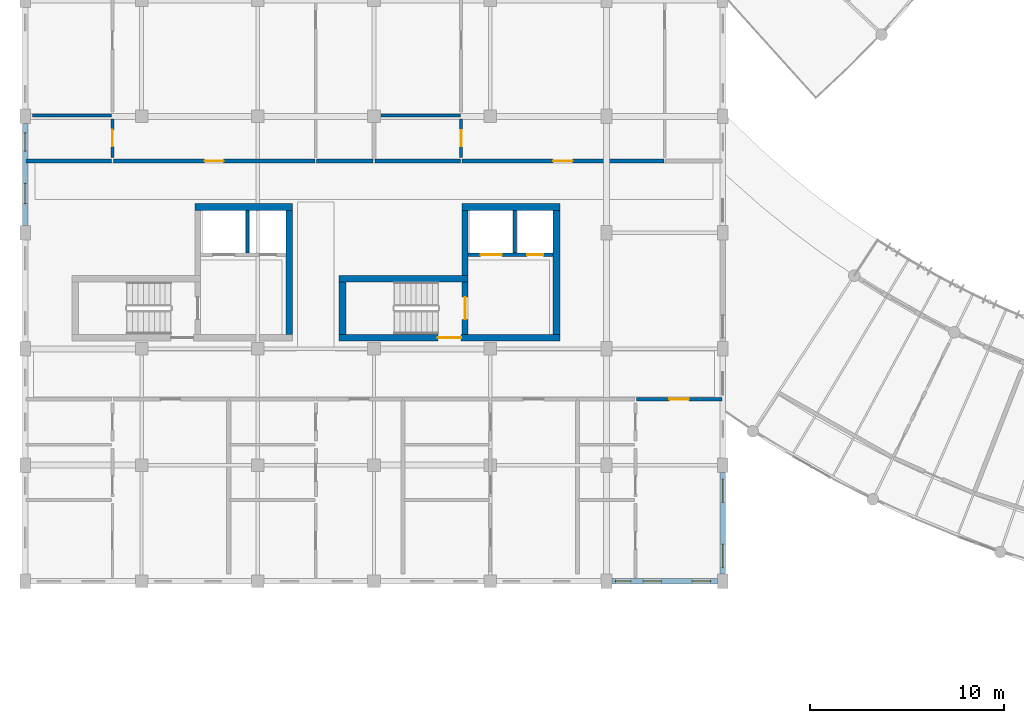
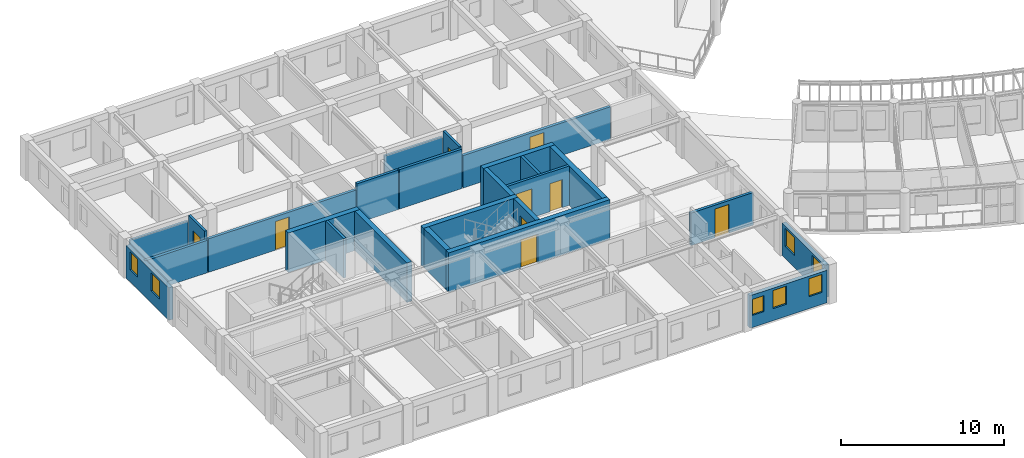
# One storey, part 56 of 100: 25 walls, 9 doors, 7 windows, 16 openings.
"""IFC4 building model written with IfcOpenShell, lengths in metres."""

from ifc_helpers import new_model, si_unit, direction, frame, frame_2d, origin, place, context, subcontext, project, spatial, rectangle, extrude, material, layer, layer_set, type_object, element, fill, save


model = new_model("IFC4")

# Units and contexts
model_context = context("Model", 3, precision=1e-05, world=origin(), true_north=direction((0.0, 1.0)))
body_context = subcontext(model_context, "Body", "Model", "MODEL_VIEW")
ifc_project = project(units=[si_unit("LENGTHUNIT", "METRE"), si_unit("AREAUNIT", "SQUARE_METRE"), si_unit("VOLUMEUNIT", "CUBIC_METRE"), si_unit("PLANEANGLEUNIT", "RADIAN"), si_unit("MASSUNIT", "GRAM", prefix="KILO"), si_unit("POWERUNIT", "WATT"), si_unit("THERMODYNAMICTEMPERATUREUNIT", "KELVIN")], contexts=[model_context])

# Site, building, storey
site_placement = place(None, origin())
site = spatial("IfcSite", under=ifc_project, at=site_placement, CompositionType="ELEMENT")
building_placement = place(site_placement, origin())
building = spatial("IfcBuilding", under=site, at=building_placement, Name="Ruvembo Vaulted Housing Court", CompositionType="ELEMENT")
storey_placement = place(building_placement, frame((0.0, 0.0, 14.10009765625)))
storey = spatial("IfcBuildingStorey", under=building, at=storey_placement, Name="L04", CompositionType="ELEMENT", Elevation=14.10009765625)

# Wall, opening, door
ifc_material_1 = material(Name="Concrete C35/45", Category="concrete")
ifc_layer_1 = layer(ifc_material_1, 0.300048828125, Name="Concrete C35/45")
ifc_layer_set_1 = layer_set([ifc_layer_1], Name="Concrete C35/45")
wall_type_1 = type_object("IfcWallType", Name="WL-CORE-300", PredefinedType="SHEAR", material=ifc_layer_set_1)
wall_1_placement = place(storey_placement, frame((22.699951171875, 18.75, 0.0), z_axis=(0.0, 0.0, 1.0), x_axis=(0.0, 1.0, 0.0)))
wall_1 = element("IfcWall", 1, at=wall_1_placement, inside=storey, type_object=wall_type_1, Name="Core A2 L04 Stair-Lobby Shear Wall", PredefinedType="SHEAR", context=body_context, shape_type="SweptSolid", body=[
    extrude(rectangle(XDim=2.699951171875, YDim=0.300048828125, at=frame_2d((1.35009765625, 0.0))), origin(), (0.0, 0.0, 1.0), 2.949951171875),
])
opening_1_placement = place(wall_1_placement, frame((0.77490234375, 0.0, 0.0)))
opening_1 = element("IfcOpeningElement", 2, at=opening_1_placement, cuts=wall_1, Name="Opening SD1", PredefinedType="OPENING", context=body_context, shape_type="SweptSolid", body=[
    extrude(rectangle(XDim=1.14990234375, YDim=2.14990234375, at=frame_2d((0.574951171875, 1.074951171875))), frame((0.0, 0.159912109375, 0.0), z_axis=(0.0, -1.0, 0.0), x_axis=(1.0, 0.0, 0.0)), (0.0, 0.0, 1.0), 0.320068359375),
])
ifc_material_2 = material(Name="Galvanised Painted Steel", Category="steel")
door_type_1 = type_object("IfcDoorType", Name="DR-STAIR-1150x2150", OperationType="NOTDEFINED", PredefinedType="DOOR", material=ifc_material_2)
door_1_placement = place(opening_1_placement, origin())
door_1 = element("IfcDoor", 3, at=door_1_placement, inside=storey, type_object=door_type_1, Name="Stair ST-A2 L04 Fire Door", OperationType="SINGLE_SWING_LEFT", OverallHeight=2.14990234375, OverallWidth=1.14990234375, PredefinedType="DOOR", context=body_context, shape_type="SweptSolid", body=[
    extrude(rectangle(XDim=1.14990234375, YDim=2.14990234375, at=frame_2d((0.574951171875, 1.074951171875))), frame((0.0, 0.02490234375, 0.0), z_axis=(0.0, -1.0, 0.0), x_axis=(1.0, 0.0, 0.0)), (0.0, 0.0, 1.0), 0.050048828125),
])
fill(opening_1, door_1)

# Walls
wall_2_placement = place(storey_placement, frame((22.699951171875, 21.800048828125, 0.0), z_axis=(0.0, 0.0, 1.0), x_axis=(0.0, 1.0, 0.0)))
element("IfcWall", 4, at=wall_2_placement, inside=storey, type_object=wall_type_1, Name="Core A2 L04 Upper West Shear Wall", PredefinedType="SHEAR", context=body_context, shape_type="SweptSolid", body=[
    extrude(rectangle(XDim=3.349853515625, YDim=0.300048828125, at=frame_2d((1.6748046875, 0.0))), origin(), (0.0, 0.0, 1.0), 2.949951171875),
])
ifc_layer_2 = layer(ifc_material_1, 0.35009765625, Name="Concrete C35/45")
ifc_layer_set_2 = layer_set([ifc_layer_2], Name="Concrete C35/45")
wall_type_2 = type_object("IfcWallType", Name="WL-CORE-350", PredefinedType="SHEAR", material=ifc_layer_set_2)
wall_3_placement = place(storey_placement, frame((13.800048828125, 25.324951171875, 0.0), z_axis=(0.0, 0.0, 1.0), x_axis=(-1.0, 0.0, 0.0)))
element("IfcWall", 5, at=wall_3_placement, inside=storey, type_object=wall_type_2, Name="Core A1 L04 North Shear Wall", PredefinedType="SHEAR", context=body_context, shape_type="SweptSolid", body=[
    extrude(rectangle(XDim=5.050048828125, YDim=0.35009765625, at=frame_2d((2.52490234375, 0.0))), origin(), (0.0, 0.0, 1.0), 2.949951171875),
])
wall_4_placement = place(storey_placement, frame((13.625, 18.75, 0.0), z_axis=(0.0, 0.0, 1.0), x_axis=(0.0, 1.0, 0.0)))
element("IfcWall", 6, at=wall_4_placement, inside=storey, type_object=wall_type_2, Name="Core A1 L04 East Shear Wall", PredefinedType="SHEAR", context=body_context, shape_type="SweptSolid", body=[
    extrude(rectangle(XDim=6.39990234375, YDim=0.35009765625, at=frame_2d((3.199951171875, 0.0))), origin(), (0.0, 0.0, 1.0), 2.949951171875),
])

# Wall, opening, door
wall_5_placement = place(storey_placement, frame((16.199951171875, 18.574951171875, 0.0), z_axis=(0.0, 0.0, 1.0), x_axis=(1.0, 0.0, 0.0)))
wall_5 = element("IfcWall", 7, at=wall_5_placement, inside=storey, type_object=wall_type_2, Name="Core A2 L04 South Shear Wall", PredefinedType="SHEAR", context=body_context, shape_type="SweptSolid", body=[
    extrude(rectangle(XDim=11.400146484375, YDim=0.35009765625, at=frame_2d((5.7001953125, 0.0))), origin(), (0.0, 0.0, 1.0), 2.949951171875),
])
opening_2_placement = place(wall_5_placement, frame((5.10009765625, 0.0, 0.0)))
opening_2 = element("IfcOpeningElement", 8, at=opening_2_placement, cuts=wall_5, Name="Opening LD3", PredefinedType="OPENING", context=body_context, shape_type="SweptSolid", body=[
    extrude(rectangle(XDim=1.199951171875, YDim=2.14990234375, at=frame_2d((0.60009765625, 1.074951171875))), frame((0.0, 0.18505859375, 0.0), z_axis=(0.0, -1.0, 0.0), x_axis=(1.0, 0.0, 0.0)), (0.0, 0.0, 1.0), 0.3701171875),
])
door_type_2 = type_object("IfcDoorType", Name="DR-LOB-1200x2150", OperationType="NOTDEFINED", PredefinedType="DOOR", material=ifc_material_2)
door_2_placement = place(opening_2_placement, origin())
door_2 = element("IfcDoor", 9, at=door_2_placement, inside=storey, type_object=door_type_2, Name="Core A2 L04 Lobby Fire Door", OperationType="SINGLE_SWING_RIGHT", OverallHeight=2.14990234375, OverallWidth=1.199951171875, PredefinedType="DOOR", context=body_context, shape_type="SweptSolid", body=[
    extrude(rectangle(XDim=1.199951171875, YDim=2.14990234375, at=frame_2d((0.60009765625, 1.074951171875))), frame((0.0, 0.02490234375, 0.0), z_axis=(0.0, -1.0, 0.0), x_axis=(1.0, 0.0, 0.0)), (0.0, 0.0, 1.0), 0.050048828125),
])
fill(opening_2, door_2)

# Walls
wall_6_placement = place(storey_placement, frame((22.85009765625, 21.625, 0.0), z_axis=(0.0, 0.0, 1.0), x_axis=(-1.0, 0.0, 0.0)))
element("IfcWall", 10, at=wall_6_placement, inside=storey, type_object=wall_type_2, Name="Core A2 L04 Stair North Shear Wall", PredefinedType="SHEAR", context=body_context, shape_type="SweptSolid", body=[
    extrude(rectangle(XDim=6.650146484375, YDim=0.35009765625, at=frame_2d((3.3251953125, 0.0))), origin(), (0.0, 0.0, 1.0), 2.949951171875),
])
wall_7_placement = place(storey_placement, frame((16.375, 21.449951171875, 0.0), z_axis=(0.0, 0.0, 1.0), x_axis=(0.0, -1.0, 0.0)))
element("IfcWall", 11, at=wall_7_placement, inside=storey, type_object=wall_type_2, Name="Core A2 L04 Stair West Shear Wall", PredefinedType="SHEAR", context=body_context, shape_type="SweptSolid", body=[
    extrude(rectangle(XDim=2.699951171875, YDim=0.35009765625, at=frame_2d((1.35009765625, 0.0))), origin(), (0.0, 0.0, 1.0), 2.949951171875),
])
wall_8_placement = place(storey_placement, frame((27.60009765625, 25.324951171875, 0.0), z_axis=(0.0, 0.0, 1.0), x_axis=(-1.0, 0.0, 0.0)))
element("IfcWall", 12, at=wall_8_placement, inside=storey, type_object=wall_type_2, Name="Core A2 L04 North Shear Wall", PredefinedType="SHEAR", context=body_context, shape_type="SweptSolid", body=[
    extrude(rectangle(XDim=5.050048828125, YDim=0.35009765625, at=frame_2d((2.52490234375, 0.0))), origin(), (0.0, 0.0, 1.0), 2.949951171875),
])
wall_9_placement = place(storey_placement, frame((27.425048828125, 18.75, 0.0), z_axis=(0.0, 0.0, 1.0), x_axis=(0.0, 1.0, 0.0)))
element("IfcWall", 13, at=wall_9_placement, inside=storey, type_object=wall_type_2, Name="Core A2 L04 East Shear Wall", PredefinedType="SHEAR", context=body_context, shape_type="SweptSolid", body=[
    extrude(rectangle(XDim=6.39990234375, YDim=0.35009765625, at=frame_2d((3.199951171875, 0.0))), origin(), (0.0, 0.0, 1.0), 2.949951171875),
])

# Wall, opening, door
ifc_material_3 = material(Name="Concrete Blockwork 190", Category="masonry")
ifc_layer_3 = layer(ifc_material_3, 0.18994140625, Name="Concrete Blockwork 190")
ifc_layer_set_3 = layer_set([ifc_layer_3], Name="Concrete Blockwork 190")
wall_type_3 = type_object("IfcWallType", Name="WL-CORR-190", PredefinedType="SOLIDWALL", material=ifc_layer_set_3)
wall_10_placement = place(storey_placement, frame((31.5400390625, 15.39990234375, 0.0), z_axis=(0.0, 0.0, 1.0), x_axis=(1.0, 0.0, 0.0)))
wall_10 = element("IfcWall", 14, at=wall_10_placement, inside=storey, type_object=wall_type_3, Name="L04 Flat A-L04-S4 Entrance WL-INT-L04-01112", PredefinedType="SOLIDWALL", context=body_context, shape_type="SweptSolid", body=[
    extrude(rectangle(XDim=4.419921875, YDim=0.18994140625, at=frame_2d((2.2099609375, 0.0))), origin(), (0.0, 0.0, 1.0), 2.431884765625),
])
opening_3_placement = place(wall_10_placement, frame((1.7099609375, 0.0, 0.0)))
opening_3 = element("IfcOpeningElement", 15, at=opening_3_placement, cuts=wall_10, Name="Opening FD1", PredefinedType="OPENING", context=body_context, shape_type="SweptSolid", body=[
    extrude(rectangle(XDim=1.0, YDim=2.14990234375, at=frame_2d((0.5, 1.074951171875))), frame((0.0, 0.10498046875, 0.0), z_axis=(0.0, -1.0, 0.0), x_axis=(1.0, 0.0, 0.0)), (0.0, 0.0, 1.0), 0.2099609375),
])
ifc_material_4 = material(Name="FSC Hardwood and Engineered Timber", Category="wood")
door_type_3 = type_object("IfcDoorType", Name="DR-FLAT-1000x2150", OperationType="NOTDEFINED", PredefinedType="DOOR", material=ifc_material_4)
door_3_placement = place(opening_3_placement, origin())
door_3 = element("IfcDoor", 16, at=door_3_placement, inside=storey, type_object=door_type_3, Name="L04 Flat A-L04-S4 Entrance Door DR-INT-L04-00624", OperationType="SINGLE_SWING_RIGHT", OverallHeight=2.14990234375, OverallWidth=1.0, PredefinedType="DOOR", context=body_context, shape_type="SweptSolid", body=[
    extrude(rectangle(XDim=1.0, YDim=2.14990234375, at=frame_2d((0.5, 1.074951171875))), frame((0.0, 0.02490234375, 0.0), z_axis=(0.0, -1.0, 0.0), x_axis=(1.0, 0.0, 0.0)), (0.0, 0.0, 1.0), 0.050048828125),
])
fill(opening_3, door_3)

# Wall
wall_11_placement = place(storey_placement, frame((0.0400390625, 27.699951171875, 0.0), z_axis=(0.0, 0.0, 1.0), x_axis=(1.0, 0.0, 0.0)))
element("IfcWall", 17, at=wall_11_placement, inside=storey, type_object=wall_type_3, Name="L04 Flat A-L04-N1 Corridor Wall WL-INT-L04-01119", PredefinedType="SOLIDWALL", context=body_context, shape_type="SweptSolid", body=[
    extrude(rectangle(XDim=4.419921875, YDim=0.18994140625, at=frame_2d((2.2099609375, 0.0))), origin(), (0.0, 0.0, 1.0), 2.431884765625),
])

# Wall, opening, door
wall_12_placement = place(storey_placement, frame((4.5400390625, 27.699951171875, 0.0), z_axis=(0.0, 0.0, 1.0), x_axis=(1.0, 0.0, 0.0)))
wall_12 = element("IfcWall", 18, at=wall_12_placement, inside=storey, type_object=wall_type_3, Name="L04 Flat A-L04-N1 Entrance WL-INT-L04-01120", PredefinedType="SOLIDWALL", context=body_context, shape_type="SweptSolid", body=[
    extrude(rectangle(XDim=10.419921875, YDim=0.18994140625, at=frame_2d((5.2099609375, 0.0))), origin(), (0.0, 0.0, 1.0), 2.5078125),
])
opening_4_placement = place(wall_12_placement, frame((4.719970703125, 0.0, 0.0)))
opening_4 = element("IfcOpeningElement", 19, at=opening_4_placement, cuts=wall_12, Name="Opening FD2", PredefinedType="OPENING", context=body_context, shape_type="SweptSolid", body=[
    extrude(rectangle(XDim=0.97998046875, YDim=2.14990234375, at=frame_2d((0.489990234375, 1.074951171875))), frame((0.0, 0.10498046875, 0.0), z_axis=(0.0, -1.0, 0.0), x_axis=(1.0, 0.0, 0.0)), (0.0, 0.0, 1.0), 0.2099609375),
])
door_type_4 = type_object("IfcDoorType", Name="DR-FLAT-0980x2150", OperationType="NOTDEFINED", PredefinedType="DOOR", material=ifc_material_4)
door_4_placement = place(opening_4_placement, origin())
door_4 = element("IfcDoor", 20, at=door_4_placement, inside=storey, type_object=door_type_4, Name="L04 Flat A-L04-N1 Entrance Door DR-INT-L04-00628", OperationType="SINGLE_SWING_RIGHT", OverallHeight=2.14990234375, OverallWidth=0.97998046875, PredefinedType="DOOR", context=body_context, shape_type="SweptSolid", body=[
    extrude(rectangle(XDim=0.97998046875, YDim=2.14990234375, at=frame_2d((0.489990234375, 1.074951171875))), frame((0.0, 0.02490234375, 0.0), z_axis=(0.0, -1.0, 0.0), x_axis=(1.0, 0.0, 0.0)), (0.0, 0.0, 1.0), 0.050048828125),
])
fill(opening_4, door_4)

# Walls
wall_13_placement = place(storey_placement, frame((15.0400390625, 27.699951171875, 0.0), z_axis=(0.0, 0.0, 1.0), x_axis=(1.0, 0.0, 0.0)))
element("IfcWall", 21, at=wall_13_placement, inside=storey, type_object=wall_type_3, Name="L04 Flat A-L04-N1 Corridor Wall 2 WL-INT-L04-01126", PredefinedType="SOLIDWALL", context=body_context, shape_type="SweptSolid", body=[
    extrude(rectangle(XDim=2.919921875, YDim=0.18994140625, at=frame_2d((1.4599609375, 0.0))), origin(), (0.0, 0.0, 1.0), 2.949951171875),
])
wall_14_placement = place(storey_placement, frame((18.0400390625, 27.699951171875, 0.0), z_axis=(0.0, 0.0, 1.0), x_axis=(1.0, 0.0, 0.0)))
element("IfcWall", 22, at=wall_14_placement, inside=storey, type_object=wall_type_3, Name="L04 Flat A-L04-N2 Corridor Wall WL-INT-L04-01128", PredefinedType="SOLIDWALL", context=body_context, shape_type="SweptSolid", body=[
    extrude(rectangle(XDim=4.419921875, YDim=0.18994140625, at=frame_2d((2.2099609375, 0.0))), origin(), (0.0, 0.0, 1.0), 2.949951171875),
])

# Wall, opening, door
wall_15_placement = place(storey_placement, frame((22.5400390625, 27.699951171875, 0.0), z_axis=(0.0, 0.0, 1.0), x_axis=(1.0, 0.0, 0.0)))
wall_15 = element("IfcWall", 23, at=wall_15_placement, inside=storey, type_object=wall_type_3, Name="L04 Flat A-L04-N2 Entrance WL-INT-L04-01129", PredefinedType="SOLIDWALL", context=body_context, shape_type="SweptSolid", body=[
    extrude(rectangle(XDim=10.419921875, YDim=0.18994140625, at=frame_2d((5.2099609375, 0.0))), origin(), (0.0, 0.0, 1.0), 2.431884765625),
])
opening_5_placement = place(wall_15_placement, frame((4.7099609375, 0.0, 0.0)))
opening_5 = element("IfcOpeningElement", 24, at=opening_5_placement, cuts=wall_15, Name="Opening FD1", PredefinedType="OPENING", context=body_context, shape_type="SweptSolid", body=[
    extrude(rectangle(XDim=1.0, YDim=2.14990234375, at=frame_2d((0.5, 1.074951171875))), frame((0.0, 0.10498046875, 0.0), z_axis=(0.0, -1.0, 0.0), x_axis=(1.0, 0.0, 0.0)), (0.0, 0.0, 1.0), 0.2099609375),
])
door_5_placement = place(opening_5_placement, origin())
door_5 = element("IfcDoor", 25, at=door_5_placement, inside=storey, type_object=door_type_3, Name="L04 Flat A-L04-N2 Entrance Door DR-INT-L04-00633", OperationType="SINGLE_SWING_LEFT", OverallHeight=2.14990234375, OverallWidth=1.0, PredefinedType="DOOR", context=body_context, shape_type="SweptSolid", body=[
    extrude(rectangle(XDim=1.0, YDim=2.14990234375, at=frame_2d((0.5, 1.074951171875))), frame((0.0, 0.02490234375, 0.0), z_axis=(0.0, -1.0, 0.0), x_axis=(1.0, 0.0, 0.0)), (0.0, 0.0, 1.0), 0.050048828125),
])
fill(opening_5, door_5)

# Wall, openings, windows
ifc_material_5 = material(Name="Rendered Masonry 285", Category="masonry")
ifc_layer_4 = layer(ifc_material_5, 0.284912109375, Name="Rendered Masonry 285")
ifc_layer_set_4 = layer_set([ifc_layer_4], Name="Rendered Masonry 285")
wall_type_4 = type_object("IfcWallType", Name="WL-EXT-285", PredefinedType="STANDARD", material=ifc_layer_set_4)
wall_16_placement = place(storey_placement, frame((30.27490234375, 6.0, 0.0), z_axis=(0.0, 0.0, 1.0), x_axis=(1.0, 0.0, 0.0)))
wall_16 = element("IfcWall", 26, at=wall_16_placement, inside=storey, type_object=wall_type_4, Name="Block A L04 Exterior Wall STREET #6", PredefinedType="STANDARD", context=body_context, shape_type="SweptSolid", body=[
    extrude(rectangle(XDim=5.4501953125, YDim=0.284912109375, at=frame_2d((2.72509765625, 0.0))), origin(), (0.0, 0.0, 1.0), 2.431884765625),
])
opening_6_placement = place(wall_16_placement, frame((1.614990234375, 0.0, 0.89990234375)))
opening_6 = element("IfcOpeningElement", 27, at=opening_6_placement, cuts=wall_16, Name="Opening W07", PredefinedType="OPENING", context=body_context, shape_type="SweptSolid", body=[
    extrude(rectangle(XDim=0.949951171875, YDim=1.35009765625, at=frame_2d((0.47509765625, 0.675048828125))), frame((0.0, 0.15234375, 0.0), z_axis=(0.0, -1.0, 0.0), x_axis=(1.0, 0.0, 0.0)), (0.0, 0.0, 1.0), 0.304931640625),
])
opening_7_placement = place(wall_16_placement, frame((4.14990234375, 0.0, 0.89990234375)))
opening_7 = element("IfcOpeningElement", 28, at=opening_7_placement, cuts=wall_16, Name="Opening W07", PredefinedType="OPENING", context=body_context, shape_type="SweptSolid", body=[
    extrude(rectangle(XDim=0.949951171875, YDim=1.35009765625, at=frame_2d((0.47509765625, 0.675048828125))), frame((0.0, 0.15234375, 0.0), z_axis=(0.0, -1.0, 0.0), x_axis=(1.0, 0.0, 0.0)), (0.0, 0.0, 1.0), 0.304931640625),
])
opening_8_placement = place(wall_16_placement, frame((0.181396484375, 0.0, 0.89990234375)))
opening_8 = element("IfcOpeningElement", 29, at=opening_8_placement, cuts=wall_16, Name="Opening W02", PredefinedType="OPENING", context=body_context, shape_type="SweptSolid", body=[
    extrude(rectangle(XDim=0.800048828125, YDim=1.199951171875, at=frame_2d((0.39990234375, 0.60009765625))), frame((0.0, 0.15234375, 0.0), z_axis=(0.0, -1.0, 0.0), x_axis=(1.0, 0.0, 0.0)), (0.0, 0.0, 1.0), 0.304931640625),
])
ifc_material_6 = material(Name="Double Solar-Control Glazing in Aluminium Frame", Category="aluminium")
window_type_1 = type_object("IfcWindowType", Name="WIN-0800x1200", PartitioningType="SINGLE_PANEL", PredefinedType="WINDOW", material=ifc_material_6)
window_1_placement = place(opening_8_placement, origin())
window_1 = element("IfcWindow", 30, at=window_1_placement, inside=storey, type_object=window_type_1, Name="Block A L04 Window #2076", OverallHeight=1.199951171875, OverallWidth=0.800048828125, PartitioningType="SINGLE_PANEL", PredefinedType="WINDOW", context=body_context, shape_type="SweptSolid", body=[
    extrude(rectangle(XDim=0.800048828125, YDim=1.199951171875, at=frame_2d((0.39990234375, 0.60009765625))), frame((0.0, 0.030029296875, 0.0), z_axis=(0.0, -1.0, 0.0), x_axis=(1.0, 0.0, 0.0)), (0.0, 0.0, 1.0), 0.06005859375),
])
fill(opening_8, window_1)
window_type_2 = type_object("IfcWindowType", Name="WIN-0950x1350", PartitioningType="SINGLE_PANEL", PredefinedType="WINDOW", material=ifc_material_6)
window_2_placement = place(opening_6_placement, origin())
window_2 = element("IfcWindow", 31, at=window_2_placement, inside=storey, type_object=window_type_2, Name="Block A L04 Window #177", OverallHeight=1.35009765625, OverallWidth=0.949951171875, PartitioningType="SINGLE_PANEL", PredefinedType="WINDOW", context=body_context, shape_type="SweptSolid", body=[
    extrude(rectangle(XDim=0.949951171875, YDim=1.35009765625, at=frame_2d((0.47509765625, 0.675048828125))), frame((0.0, 0.030029296875, 0.0), z_axis=(0.0, -1.0, 0.0), x_axis=(1.0, 0.0, 0.0)), (0.0, 0.0, 1.0), 0.06005859375),
])
fill(opening_6, window_2)
window_3_placement = place(opening_7_placement, origin())
window_3 = element("IfcWindow", 32, at=window_3_placement, inside=storey, type_object=window_type_2, Name="Block A L04 Window #178", OverallHeight=1.35009765625, OverallWidth=0.949951171875, PartitioningType="SINGLE_PANEL", PredefinedType="WINDOW", context=body_context, shape_type="SweptSolid", body=[
    extrude(rectangle(XDim=0.949951171875, YDim=1.35009765625, at=frame_2d((0.47509765625, 0.675048828125))), frame((0.0, 0.030029296875, 0.0), z_axis=(0.0, -1.0, 0.0), x_axis=(1.0, 0.0, 0.0)), (0.0, 0.0, 1.0), 0.06005859375),
])
fill(opening_7, window_3)

wall_17_placement = place(storey_placement, frame((36.0, 6.375, 0.0), z_axis=(0.0, 0.0, 1.0), x_axis=(0.0, 1.0, 0.0)))
wall_17 = element("IfcWall", 33, at=wall_17_placement, inside=storey, type_object=wall_type_4, Name="Block A L04 Exterior Wall EAST #1", PredefinedType="STANDARD", context=body_context, shape_type="SweptSolid", body=[
    extrude(rectangle(XDim=5.25, YDim=0.284912109375, at=frame_2d((2.625, 0.0))), origin(), (0.0, 0.0, 1.0), 2.431884765625),
])
opening_9_placement = place(wall_17_placement, frame((0.35009765625, 0.0, 0.89990234375)))
opening_9 = element("IfcOpeningElement", 34, at=opening_9_placement, cuts=wall_17, Name="Opening W12", PredefinedType="OPENING", context=body_context, shape_type="SweptSolid", body=[
    extrude(rectangle(XDim=1.199951171875, YDim=1.35009765625, at=frame_2d((0.60009765625, 0.675048828125))), frame((0.0, 0.15234375, 0.0), z_axis=(0.0, -1.0, 0.0), x_axis=(1.0, 0.0, 0.0)), (0.0, 0.0, 1.0), 0.304931640625),
])
opening_10_placement = place(wall_17_placement, frame((3.699951171875, 0.0, 0.89990234375)))
opening_10 = element("IfcOpeningElement", 35, at=opening_10_placement, cuts=wall_17, Name="Opening W12", PredefinedType="OPENING", context=body_context, shape_type="SweptSolid", body=[
    extrude(rectangle(XDim=1.199951171875, YDim=1.35009765625, at=frame_2d((0.60009765625, 0.675048828125))), frame((0.0, 0.15234375, 0.0), z_axis=(0.0, -1.0, 0.0), x_axis=(1.0, 0.0, 0.0)), (0.0, 0.0, 1.0), 0.304931640625),
])
window_type_3 = type_object("IfcWindowType", Name="WIN-1200x1350", PartitioningType="SINGLE_PANEL", PredefinedType="WINDOW", material=ifc_material_6)
window_4_placement = place(opening_9_placement, origin())
window_4 = element("IfcWindow", 36, at=window_4_placement, inside=storey, type_object=window_type_3, Name="Block A L04 Window #179", OverallHeight=1.35009765625, OverallWidth=1.199951171875, PartitioningType="SINGLE_PANEL", PredefinedType="WINDOW", context=body_context, shape_type="SweptSolid", body=[
    extrude(rectangle(XDim=1.199951171875, YDim=1.35009765625, at=frame_2d((0.60009765625, 0.675048828125))), frame((0.0, 0.030029296875, 0.0), z_axis=(0.0, -1.0, 0.0), x_axis=(1.0, 0.0, 0.0)), (0.0, 0.0, 1.0), 0.06005859375),
])
fill(opening_9, window_4)
window_5_placement = place(opening_10_placement, origin())
window_5 = element("IfcWindow", 37, at=window_5_placement, inside=storey, type_object=window_type_3, Name="Block A L04 Window #180", OverallHeight=1.35009765625, OverallWidth=1.199951171875, PartitioningType="SINGLE_PANEL", PredefinedType="WINDOW", context=body_context, shape_type="SweptSolid", body=[
    extrude(rectangle(XDim=1.199951171875, YDim=1.35009765625, at=frame_2d((0.60009765625, 0.675048828125))), frame((0.0, 0.030029296875, 0.0), z_axis=(0.0, -1.0, 0.0), x_axis=(1.0, 0.0, 0.0)), (0.0, 0.0, 1.0), 0.06005859375),
])
fill(opening_10, window_5)

wall_18_placement = place(storey_placement, frame((0.0, 29.625, 0.0), z_axis=(0.0, 0.0, 1.0), x_axis=(0.0, -1.0, 0.0)))
wall_18 = element("IfcWall", 38, at=wall_18_placement, inside=storey, type_object=wall_type_4, Name="Block A L04 Exterior Wall WEST #3", PredefinedType="STANDARD", context=body_context, shape_type="SweptSolid", body=[
    extrude(rectangle(XDim=5.25, YDim=0.284912109375, at=frame_2d((2.625, 0.0))), origin(), (0.0, 0.0, 1.0), 2.431884765625),
])
opening_11_placement = place(wall_18_placement, frame((0.467529296875, 0.0, 0.89990234375)))
opening_11 = element("IfcOpeningElement", 39, at=opening_11_placement, cuts=wall_18, Name="Opening W07", PredefinedType="OPENING", context=body_context, shape_type="SweptSolid", body=[
    extrude(rectangle(XDim=0.949951171875, YDim=1.35009765625, at=frame_2d((0.47509765625, 0.675048828125))), frame((0.0, 0.15234375, 0.0), z_axis=(0.0, -1.0, 0.0), x_axis=(1.0, 0.0, 0.0)), (0.0, 0.0, 1.0), 0.304931640625),
])
opening_12_placement = place(wall_18_placement, frame((3.08251953125, 0.0, 0.89990234375)))
opening_12 = element("IfcOpeningElement", 40, at=opening_12_placement, cuts=wall_18, Name="Opening W09", PredefinedType="OPENING", context=body_context, shape_type="SweptSolid", body=[
    extrude(rectangle(XDim=1.050048828125, YDim=1.35009765625, at=frame_2d((0.52490234375, 0.675048828125))), frame((0.0, 0.15234375, 0.0), z_axis=(0.0, -1.0, 0.0), x_axis=(1.0, 0.0, 0.0)), (0.0, 0.0, 1.0), 0.304931640625),
])
window_6_placement = place(opening_11_placement, origin())
window_6 = element("IfcWindow", 41, at=window_6_placement, inside=storey, type_object=window_type_2, Name="Block A L04 Window #201", OverallHeight=1.35009765625, OverallWidth=0.949951171875, PartitioningType="SINGLE_PANEL", PredefinedType="WINDOW", context=body_context, shape_type="SweptSolid", body=[
    extrude(rectangle(XDim=0.949951171875, YDim=1.35009765625, at=frame_2d((0.47509765625, 0.675048828125))), frame((0.0, 0.030029296875, 0.0), z_axis=(0.0, -1.0, 0.0), x_axis=(1.0, 0.0, 0.0)), (0.0, 0.0, 1.0), 0.06005859375),
])
fill(opening_11, window_6)
window_type_4 = type_object("IfcWindowType", Name="WIN-1050x1350", PartitioningType="SINGLE_PANEL", PredefinedType="WINDOW", material=ifc_material_6)
window_7_placement = place(opening_12_placement, origin())
window_7 = element("IfcWindow", 42, at=window_7_placement, inside=storey, type_object=window_type_4, Name="Block A L04 Window #202", OverallHeight=1.35009765625, OverallWidth=1.050048828125, PartitioningType="SINGLE_PANEL", PredefinedType="WINDOW", context=body_context, shape_type="SweptSolid", body=[
    extrude(rectangle(XDim=1.050048828125, YDim=1.35009765625, at=frame_2d((0.52490234375, 0.675048828125))), frame((0.0, 0.030029296875, 0.0), z_axis=(0.0, -1.0, 0.0), x_axis=(1.0, 0.0, 0.0)), (0.0, 0.0, 1.0), 0.06005859375),
])
fill(opening_12, window_7)

# Wall, opening, door
ifc_material_7 = material(Name="Moisture-Resistant Wet Partition 150", Category="gypsum")
ifc_layer_5 = layer(ifc_material_7, 0.14990234375, Name="Moisture-Resistant Wet Partition 150")
ifc_layer_set_5 = layer_set([ifc_layer_5], Name="Moisture-Resistant Wet Partition 150")
wall_type_5 = type_object("IfcWallType", Name="WL-PART-150", PredefinedType="PARTITIONING", material=ifc_layer_set_5)
wall_19_placement = place(storey_placement, frame((4.5, 27.889892578125, 0.0), z_axis=(0.0, 0.0, 1.0), x_axis=(0.0, 1.0, 0.0)))
wall_19 = element("IfcWall", 43, at=wall_19_placement, inside=storey, type_object=wall_type_5, Name="L04 Flat A-L04-N1 Bathroom WL-INT-L04-01123", PredefinedType="PARTITIONING", context=body_context, shape_type="SweptSolid", body=[
    extrude(rectangle(XDim=1.97021484375, YDim=0.14990234375, at=frame_2d((0.985107421875, 0.0))), origin(), (0.0, 0.0, 1.0), 2.949951171875),
])
opening_13_placement = place(wall_19_placement, frame((0.56005859375, 0.0, 0.0)))
opening_13 = element("IfcOpeningElement", 44, at=opening_13_placement, cuts=wall_19, Name="Opening ID2", PredefinedType="OPENING", context=body_context, shape_type="SweptSolid", body=[
    extrude(rectangle(XDim=0.85009765625, YDim=2.10009765625, at=frame_2d((0.425048828125, 1.050048828125))), frame((0.0, 0.0849609375, 0.0), z_axis=(0.0, -1.0, 0.0), x_axis=(1.0, 0.0, 0.0)), (0.0, 0.0, 1.0), 0.169921875),
])
door_type_5 = type_object("IfcDoorType", Name="DR-WET-0850x2100", OperationType="NOTDEFINED", PredefinedType="DOOR", material=ifc_material_4)
door_6_placement = place(opening_13_placement, origin())
door_6 = element("IfcDoor", 45, at=door_6_placement, inside=storey, type_object=door_type_5, Name="L04 Flat A-L04-N1 Bathroom Door DR-INT-L04-00631", OperationType="SINGLE_SWING_LEFT", OverallHeight=2.10009765625, OverallWidth=0.85009765625, PredefinedType="DOOR", context=body_context, shape_type="SweptSolid", body=[
    extrude(rectangle(XDim=0.85009765625, YDim=2.10009765625, at=frame_2d((0.425048828125, 1.050048828125))), frame((0.0, 0.02490234375, 0.0), z_axis=(0.0, -1.0, 0.0), x_axis=(1.0, 0.0, 0.0)), (0.0, 0.0, 1.0), 0.050048828125),
])
fill(opening_13, door_6)

# Wall
wall_20_placement = place(storey_placement, frame((0.360107421875, 30.050048828125, 0.0), z_axis=(0.0, 0.0, 1.0), x_axis=(1.0, 0.0, 0.0)))
element("IfcWall", 46, at=wall_20_placement, inside=storey, type_object=wall_type_5, Name="L04 Flat A-L04-N1 Wet Wall 2 WL-INT-L04-01125", PredefinedType="PARTITIONING", context=body_context, shape_type="SweptSolid", body=[
    extrude(rectangle(XDim=4.099853515625, YDim=0.14990234375, at=frame_2d((2.0498046875, 0.0))), origin(), (0.0, 0.0, 1.0), 2.431884765625),
])

# Wall, opening, door
wall_21_placement = place(storey_placement, frame((22.5, 27.889892578125, 0.0), z_axis=(0.0, 0.0, 1.0), x_axis=(0.0, 1.0, 0.0)))
wall_21 = element("IfcWall", 47, at=wall_21_placement, inside=storey, type_object=wall_type_5, Name="L04 Flat A-L04-N2 Bathroom WL-INT-L04-01132", PredefinedType="PARTITIONING", context=body_context, shape_type="SweptSolid", body=[
    extrude(rectangle(XDim=1.97021484375, YDim=0.14990234375, at=frame_2d((0.985107421875, 0.0))), origin(), (0.0, 0.0, 1.0), 2.949951171875),
])
opening_14_placement = place(wall_21_placement, frame((0.574951171875, 0.0, 0.0)))
opening_14 = element("IfcOpeningElement", 48, at=opening_14_placement, cuts=wall_21, Name="Opening ID4", PredefinedType="OPENING", context=body_context, shape_type="SweptSolid", body=[
    extrude(rectangle(XDim=0.820068359375, YDim=2.080078125, at=frame_2d((0.41015625, 1.0400390625))), frame((0.0, 0.0849609375, 0.0), z_axis=(0.0, -1.0, 0.0), x_axis=(1.0, 0.0, 0.0)), (0.0, 0.0, 1.0), 0.169921875),
])
door_type_6 = type_object("IfcDoorType", Name="DR-WET-0820x2080", OperationType="NOTDEFINED", PredefinedType="DOOR", material=ifc_material_4)
door_7_placement = place(opening_14_placement, origin())
door_7 = element("IfcDoor", 49, at=door_7_placement, inside=storey, type_object=door_type_6, Name="L04 Flat A-L04-N2 Bathroom Door DR-INT-L04-00636", OperationType="SINGLE_SWING_RIGHT", OverallHeight=2.080078125, OverallWidth=0.820068359375, PredefinedType="DOOR", context=body_context, shape_type="SweptSolid", body=[
    extrude(rectangle(XDim=0.820068359375, YDim=2.080078125, at=frame_2d((0.41015625, 1.0400390625))), frame((0.0, 0.02490234375, 0.0), z_axis=(0.0, -1.0, 0.0), x_axis=(1.0, 0.0, 0.0)), (0.0, 0.0, 1.0), 0.050048828125),
])
fill(opening_14, door_7)

# Walls
wall_22_placement = place(storey_placement, frame((18.360107421875, 30.050048828125, 0.0), z_axis=(0.0, 0.0, 1.0), x_axis=(1.0, 0.0, 0.0)))
element("IfcWall", 50, at=wall_22_placement, inside=storey, type_object=wall_type_5, Name="L04 Flat A-L04-N2 Wet Wall 2 WL-INT-L04-01134", PredefinedType="PARTITIONING", context=body_context, shape_type="SweptSolid", body=[
    extrude(rectangle(XDim=4.099853515625, YDim=0.14990234375, at=frame_2d((2.0498046875, 0.0))), origin(), (0.0, 0.0, 1.0), 2.431884765625),
])
ifc_material_8 = material(Name="Fire-Rated Masonry Shaft 180", Category="masonry")
ifc_layer_6 = layer(ifc_material_8, 0.179931640625, Name="Fire-Rated Masonry Shaft 180")
ifc_layer_set_6 = layer_set([ifc_layer_6], Name="Fire-Rated Masonry Shaft 180")
wall_type_6 = type_object("IfcWallType", Name="WL-SHAFT-180", PredefinedType="SOLIDWALL", material=ifc_layer_set_6)
wall_23_placement = place(storey_placement, frame((11.469970703125, 22.93994140625, 0.0), z_axis=(0.0, 0.0, 1.0), x_axis=(0.0, 1.0, 0.0)))
element("IfcWall", 51, at=wall_23_placement, inside=storey, type_object=wall_type_6, Name="Core A1 L04 Shaft-Riser Divider Wall", PredefinedType="SOLIDWALL", context=body_context, shape_type="SweptSolid", body=[
    extrude(rectangle(XDim=2.2099609375, YDim=0.179931640625, at=frame_2d((1.10498046875, 0.0))), origin(), (0.0, 0.0, 1.0), 2.949951171875),
])

# Wall, openings, doors
wall_24_placement = place(storey_placement, frame((22.85009765625, 22.85009765625, 0.0), z_axis=(0.0, 0.0, 1.0), x_axis=(1.0, 0.0, 0.0)))
wall_24 = element("IfcWall", 52, at=wall_24_placement, inside=storey, type_object=wall_type_6, Name="Core A2 L04 Lift and Riser Front Wall", PredefinedType="SOLIDWALL", context=body_context, shape_type="SweptSolid", body=[
    extrude(rectangle(XDim=4.39990234375, YDim=0.179931640625, at=frame_2d((2.199951171875, 0.0))), origin(), (0.0, 0.0, 1.0), 2.949951171875),
])
opening_15_placement = place(wall_24_placement, frame((0.64990234375, 0.0, 0.0)))
opening_15 = element("IfcOpeningElement", 53, at=opening_15_placement, cuts=wall_24, Name="Opening LD-FL-A2-L04", PredefinedType="OPENING", context=body_context, shape_type="SweptSolid", body=[
    extrude(rectangle(XDim=1.10009765625, YDim=2.14990234375, at=frame_2d((0.550048828125, 1.074951171875))), frame((0.0, 0.099853515625, 0.0), z_axis=(0.0, -1.0, 0.0), x_axis=(1.0, 0.0, 0.0)), (0.0, 0.0, 1.0), 0.199951171875),
])
opening_16_placement = place(wall_24_placement, frame((3.050048828125, 0.0, 0.0)))
opening_16 = element("IfcOpeningElement", 54, at=opening_16_placement, cuts=wall_24, Name="Opening RD1", PredefinedType="OPENING", context=body_context, shape_type="SweptSolid", body=[
    extrude(rectangle(XDim=0.85009765625, YDim=2.10009765625, at=frame_2d((0.425048828125, 1.050048828125))), frame((0.0, 0.099853515625, 0.0), z_axis=(0.0, -1.0, 0.0), x_axis=(1.0, 0.0, 0.0)), (0.0, 0.0, 1.0), 0.199951171875),
])
ifc_material_9 = material(Name="Brushed Stainless Steel 304", Category="steel")
door_type_7 = type_object("IfcDoorType", Name="DR-LIFT-1100x2150", OperationType="NOTDEFINED", PredefinedType="DOOR", material=ifc_material_9)
door_8_placement = place(opening_15_placement, origin())
door_8 = element("IfcDoor", 55, at=door_8_placement, inside=storey, type_object=door_type_7, Name="Lift FL-A2 L04 Sliding Landing Door", OperationType="SLIDING_TO_LEFT", OverallHeight=2.14990234375, OverallWidth=1.10009765625, PredefinedType="DOOR", context=body_context, shape_type="SweptSolid", body=[
    extrude(rectangle(XDim=1.10009765625, YDim=2.14990234375, at=frame_2d((0.550048828125, 1.074951171875))), frame((0.0, 0.02490234375, 0.0), z_axis=(0.0, -1.0, 0.0), x_axis=(1.0, 0.0, 0.0)), (0.0, 0.0, 1.0), 0.050048828125),
])
fill(opening_15, door_8)
door_type_8 = type_object("IfcDoorType", Name="DR-RISER-0850x2100", OperationType="NOTDEFINED", PredefinedType="DOOR", material=ifc_material_2)
door_9_placement = place(opening_16_placement, frame((0.85009765625, 0.0, 0.0), z_axis=(0.0, 0.0, 1.0), x_axis=(-1.0, 0.0, 0.0)))
door_9 = element("IfcDoor", 56, at=door_9_placement, inside=storey, type_object=door_type_8, Name="Core A2 L04 Service Riser Door", OperationType="SINGLE_SWING_RIGHT", OverallHeight=2.10009765625, OverallWidth=0.85009765625, PredefinedType="DOOR", context=body_context, shape_type="SweptSolid", body=[
    extrude(rectangle(XDim=0.85009765625, YDim=2.10009765625, at=frame_2d((0.425048828125, 1.050048828125))), frame((0.0, 0.02490234375, 0.0), z_axis=(0.0, -1.0, 0.0), x_axis=(1.0, 0.0, 0.0)), (0.0, 0.0, 1.0), 0.050048828125),
])
fill(opening_16, door_9)

# Wall
wall_25_placement = place(storey_placement, frame((25.27001953125, 22.93994140625, 0.0), z_axis=(0.0, 0.0, 1.0), x_axis=(0.0, 1.0, 0.0)))
element("IfcWall", 57, at=wall_25_placement, inside=storey, type_object=wall_type_6, Name="Core A2 L04 Shaft-Riser Divider Wall", PredefinedType="SOLIDWALL", context=body_context, shape_type="SweptSolid", body=[
    extrude(rectangle(XDim=2.2099609375, YDim=0.179931640625, at=frame_2d((1.10498046875, 0.0))), origin(), (0.0, 0.0, 1.0), 2.949951171875),
])

save(model, "model.ifc")
